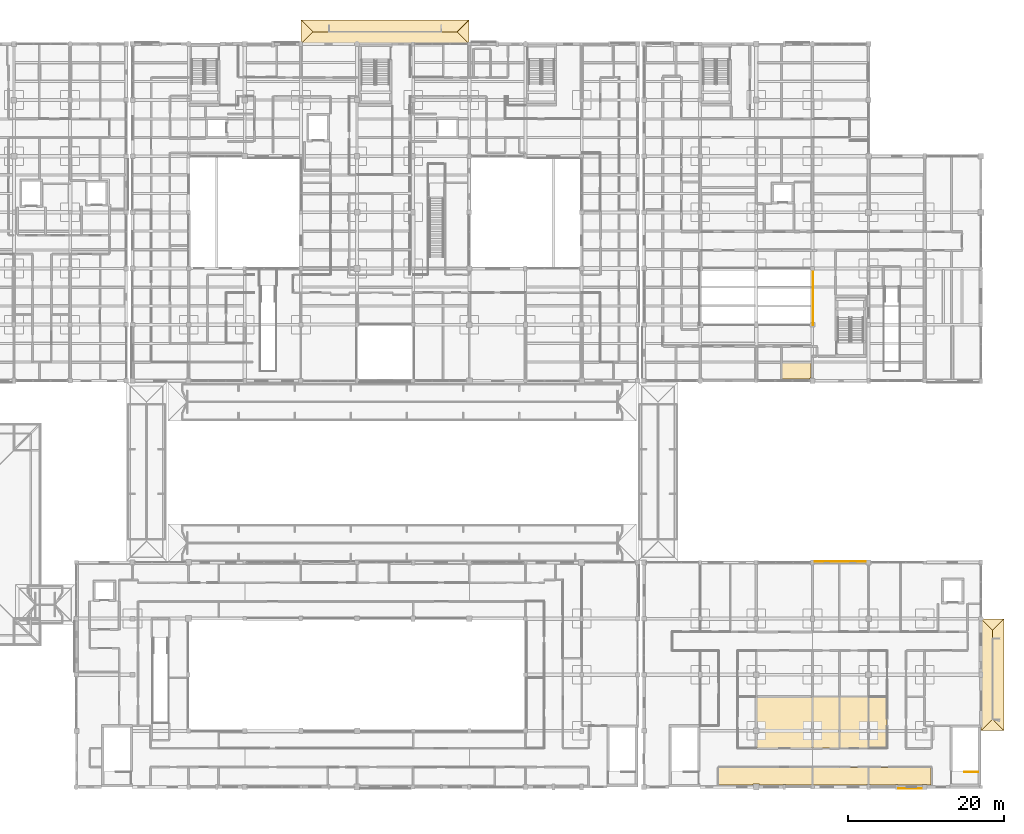
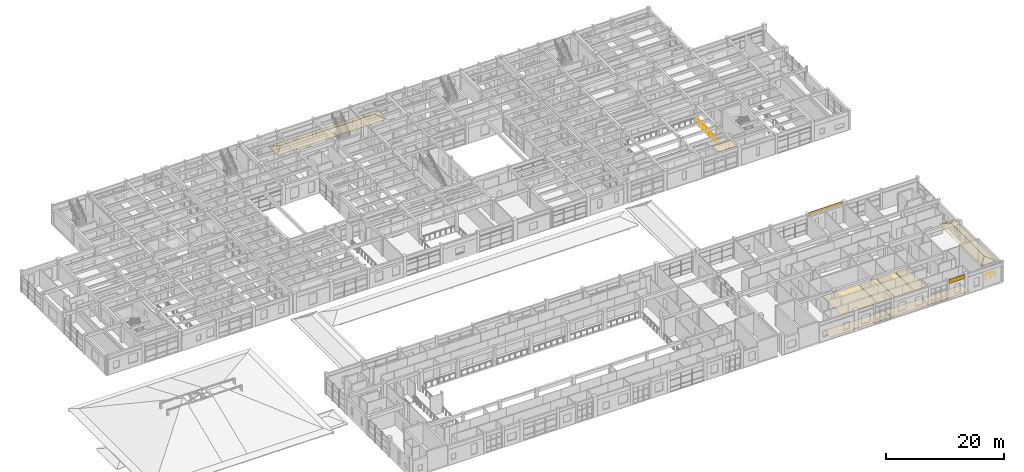
# One storey, part 108 of 110: 18 coverings, 2 railings.
"""IFC4 building model written with IfcOpenShell, lengths in metres."""

from ifc_helpers import new_model, si_unit, direction, frame, origin, origin_2d, place, context, subcontext, project, spatial, polyline, rectangle, circle, outline, extrude, material, layer, layer_set, type_object, element, save


model = new_model("IFC4")

# Units and contexts
model_context = context("Model", 3, precision=1e-05, world=origin(), true_north=direction((0.0, 1.0)))
body_context = subcontext(model_context, "Body", "Model", "MODEL_VIEW")
ifc_project = project(units=[si_unit("LENGTHUNIT", "METRE"), si_unit("AREAUNIT", "SQUARE_METRE"), si_unit("VOLUMEUNIT", "CUBIC_METRE"), si_unit("PLANEANGLEUNIT", "RADIAN"), si_unit("MASSUNIT", "GRAM", prefix="KILO")], contexts=[model_context])

# Site, building, storey
site_placement = place(None, origin())
site = spatial("IfcSite", under=ifc_project, at=site_placement, CompositionType="ELEMENT")
building_placement = place(site_placement, origin())
building = spatial("IfcBuilding", under=site, at=building_placement, Name="Steenspoor Specialist Clinic", CompositionType="ELEMENT")
storey_placement = place(building_placement, frame((0.0, 0.0, 4.800048828125)))
storey = spatial("IfcBuildingStorey", under=building, at=storey_placement, Name="L01", CompositionType="ELEMENT", Elevation=4.800048828125)

# Coverings
ifc_material_1 = material(Name="Washable acoustic mineral ceiling board", Category="gypsum")
ifc_layer_1 = layer(ifc_material_1, 0.02490234375)
ifc_layer_set_1 = layer_set([ifc_layer_1], Name="Washable acoustic mineral ceiling board")
covering_type_1 = type_object("IfcCoveringType", Name="COV-CEIL-ACOUSTIC", PredefinedType="CEILING", material=ifc_layer_set_1)
covering_1_placement = place(storey_placement, frame((0.0, 0.0, 3.925048828125)))
element("IfcCovering", 1, at=covering_1_placement, inside=storey, type_object=covering_type_1, Name="Acoustic Clinical Ceiling 124", PredefinedType="CEILING", context=body_context, shape_type="SweptSolid", body=[
    extrude(outline(polyline([(135.715087890625, 65.409912109375), (135.715087890625, 67.409912109375), (139.429931640625, 67.409912109375), (139.429931640625, 65.489990234375), (139.260009765625, 65.489990234375), (139.260009765625, 65.409912109375), (135.715087890625, 65.409912109375)])), origin(), (0.0, 0.0, 1.0), 0.02490234375),
])
ifc_material_2 = material(Name="Glazed ceramic relief spandrel cladding", Category="masonry")
ifc_layer_2 = layer(ifc_material_2, 0.034912109375)
ifc_layer_set_2 = layer_set([ifc_layer_2], Name="Glazed ceramic relief spandrel cladding")
covering_type_2 = type_object("IfcCoveringType", Name="COV-CLAD-CERAMIC", PredefinedType="CLADDING", material=ifc_layer_set_2)
covering_2_placement = place(storey_placement, frame((152.125, 12.85009765625, 3.36474609375), z_axis=(0.0, 0.0, 1.0), x_axis=(-1.0, 0.0, 0.0)))
element("IfcCovering", 2, at=covering_2_placement, inside=storey, type_object=covering_type_2, Name="Spandrel Cladding 16", PredefinedType="CLADDING", context=body_context, shape_type="SweptSolid", body=[
    extrude(rectangle(XDim=3.030029296875, YDim=0.0400390625, at=origin_2d()), origin(), (0.0, 0.0, 1.0), 0.840087890625),
])
covering_3_placement = place(storey_placement, frame((143.14990234375, 41.989990234375, 3.36474609375), z_axis=(0.0, 0.0, 1.0), x_axis=(1.0, 0.0, 0.0)))
element("IfcCovering", 3, at=covering_3_placement, inside=storey, type_object=covering_type_2, Name="Spandrel Cladding 17", PredefinedType="CLADDING", context=body_context, shape_type="SweptSolid", body=[
    extrude(rectangle(XDim=6.530029296875, YDim=0.0400390625, at=origin_2d()), origin(), (0.0, 0.0, 1.0), 0.840087890625),
])
ifc_material_3 = material(Name="Seamless clinical vinyl and terrazzo flooring", Category="plastic")
ifc_layer_3 = layer(ifc_material_3, 0.02001953125)
ifc_layer_set_3 = layer_set([ifc_layer_3], Name="Seamless clinical vinyl and terrazzo flooring")
covering_type_3 = type_object("IfcCoveringType", Name="COV-FLOOR-VINYL", PredefinedType="FLOORING", material=ifc_layer_set_3)
covering_4_placement = place(storey_placement, origin())
element("IfcCovering", 4, at=covering_4_placement, inside=storey, type_object=covering_type_3, Name="Clinical Vinyl Flooring 153", PredefinedType="FLOORING", context=body_context, shape_type="SweptSolid", body=[
    extrude(outline(polyline([(139.534912109375, 15.544921875), (139.534912109375, 13.31494140625), (139.3349609375, 13.31494140625), (139.3349609375, 13.31005859375), (136.18505859375, 13.31005859375), (136.18505859375, 13.405029296875), (135.81494140625, 13.405029296875), (135.81494140625, 13.31005859375), (132.7900390625, 13.31005859375), (132.7900390625, 13.43994140625), (132.010009765625, 13.43994140625), (132.010009765625, 13.31005859375), (127.56494140625, 13.31005859375), (127.56494140625, 15.544921875), (139.534912109375, 15.544921875)])), origin(), (0.0, 0.0, 1.0), 0.02001953125),
])
covering_5_placement = place(storey_placement, origin())
element("IfcCovering", 5, at=covering_5_placement, inside=storey, type_object=covering_type_3, Name="Clinical Vinyl Flooring 154", PredefinedType="FLOORING", context=body_context, shape_type="SweptSolid", body=[
    extrude(outline(polyline([(146.735107421875, 15.544921875), (146.735107421875, 13.364990234375), (146.56005859375, 13.364990234375), (146.56005859375, 13.31005859375), (139.864990234375, 13.31005859375), (139.864990234375, 13.31494140625), (139.6650390625, 13.31494140625), (139.6650390625, 15.544921875), (146.735107421875, 15.544921875)])), origin(), (0.0, 0.0, 1.0), 0.02001953125),
])
covering_6_placement = place(storey_placement, origin())
element("IfcCovering", 6, at=covering_6_placement, inside=storey, type_object=covering_type_3, Name="Clinical Vinyl Flooring 155", PredefinedType="FLOORING", context=body_context, shape_type="SweptSolid", body=[
    extrude(outline(polyline([(154.8349609375, 13.31005859375), (154.31494140625, 13.31005859375), (154.31494140625, 13.364990234375), (153.68505859375, 13.364990234375), (153.68505859375, 13.31005859375), (150.56494140625, 13.31005859375), (150.56494140625, 13.375), (150.235107421875, 13.375), (150.235107421875, 13.31005859375), (147.0400390625, 13.31005859375), (147.0400390625, 13.364990234375), (146.864990234375, 13.364990234375), (146.864990234375, 15.544921875), (154.8349609375, 15.544921875), (154.8349609375, 13.31005859375)])), origin(), (0.0, 0.0, 1.0), 0.02001953125),
])
covering_7_placement = place(storey_placement, origin())
element("IfcCovering", 7, at=covering_7_placement, inside=storey, type_object=covering_type_3, Name="Clinical Vinyl Flooring 157", PredefinedType="FLOORING", context=body_context, shape_type="SweptSolid", body=[
    extrude(outline(polyline([(132.465087890625, 18.074951171875), (132.465087890625, 19.885009765625), (132.764892578125, 19.885009765625), (132.764892578125, 20.614990234375), (132.465087890625, 20.614990234375), (132.465087890625, 24.56494140625), (139.534912109375, 24.56494140625), (139.534912109375, 20.489990234375), (139.360107421875, 20.489990234375), (139.360107421875, 20.010009765625), (139.534912109375, 20.010009765625), (139.534912109375, 18.074951171875), (132.465087890625, 18.074951171875)])), origin(), (0.0, 0.0, 1.0), 0.02001953125),
])
covering_8_placement = place(storey_placement, origin())
element("IfcCovering", 8, at=covering_8_placement, inside=storey, type_object=covering_type_3, Name="Clinical Vinyl Flooring 158", PredefinedType="FLOORING", context=body_context, shape_type="SweptSolid", body=[
    extrude(outline(polyline([(139.6650390625, 18.074951171875), (139.6650390625, 20.010009765625), (139.840087890625, 20.010009765625), (139.840087890625, 20.489990234375), (139.6650390625, 20.489990234375), (139.6650390625, 24.56494140625), (142.985107421875, 24.56494140625), (142.985107421875, 18.074951171875), (139.6650390625, 18.074951171875)])), origin(), (0.0, 0.0, 1.0), 0.02001953125),
])
covering_9_placement = place(storey_placement, origin())
element("IfcCovering", 9, at=covering_9_placement, inside=storey, type_object=covering_type_3, Name="Clinical Vinyl Flooring 159", PredefinedType="FLOORING", context=body_context, shape_type="SweptSolid", body=[
    extrude(outline(polyline([(143.114990234375, 18.074951171875), (143.114990234375, 24.56494140625), (146.735107421875, 24.56494140625), (146.735107421875, 20.5400390625), (146.5849609375, 20.5400390625), (146.5849609375, 19.9599609375), (146.735107421875, 19.9599609375), (146.735107421875, 18.074951171875), (143.114990234375, 18.074951171875)])), origin(), (0.0, 0.0, 1.0), 0.02001953125),
])
covering_10_placement = place(storey_placement, origin())
element("IfcCovering", 10, at=covering_10_placement, inside=storey, type_object=covering_type_3, Name="Clinical Vinyl Flooring 160", PredefinedType="FLOORING", context=body_context, shape_type="SweptSolid", body=[
    extrude(outline(polyline([(149.135009765625, 18.074951171875), (146.864990234375, 18.074951171875), (146.864990234375, 19.9599609375), (147.014892578125, 19.9599609375), (147.014892578125, 20.5400390625), (146.864990234375, 20.5400390625), (146.864990234375, 24.56494140625), (149.135009765625, 24.56494140625), (149.135009765625, 18.074951171875)])), origin(), (0.0, 0.0, 1.0), 0.02001953125),
])
ifc_material_4 = material(Name="Extruded terracotta clay roof tile", Category="masonry")
ifc_layer_4 = layer(ifc_material_4, 0.044921875)
ifc_layer_set_4 = layer_set([ifc_layer_4], Name="Extruded terracotta clay roof tile")
covering_type_4 = type_object("IfcCoveringType", Name="COV-ROOF-TILE", PredefinedType="ROOFING", material=ifc_layer_set_4)
covering_11_placement = place(storey_placement, frame((161.22998046875, 34.6201171875, -1.2021484375), z_axis=(-0.404488913328, 0.0, 0.91454290167), x_axis=(0.0, -1.0, 0.0)))
element("IfcCovering", 11, at=covering_11_placement, inside=storey, type_object=covering_type_4, Name="Clay Tile Roofing PORCH-EAST W", PredefinedType="ROOFING", context=body_context, shape_type="SweptSolid", body=[
    extrude(outline(polyline([(0.0, 0.0), (14.340087890625, 0.0), (12.8701171875, 1.60732831717449), (1.47021484375, 1.60732831717449), (0.0, 0.0)])), origin(), (0.0, 0.0, -1.0), 0.044921875),
])
covering_12_placement = place(storey_placement, frame((164.169921875, 20.280029296875, -1.2021484375), z_axis=(0.404488913328, 0.0, 0.91454290167), x_axis=(0.0, 1.0, 0.0)))
element("IfcCovering", 12, at=covering_12_placement, inside=storey, type_object=covering_type_4, Name="Clay Tile Roofing PORCH-EAST E", PredefinedType="ROOFING", context=body_context, shape_type="SweptSolid", body=[
    extrude(outline(polyline([(0.0, 0.0), (14.340087890625, 0.0), (12.869873046875, 1.60732831717449), (1.469970703125, 1.60732831717449), (0.0, 0.0)])), origin(), (0.0, 0.0, -1.0), 0.044921875),
])
covering_13_placement = place(storey_placement, frame((161.22998046875, 20.280029296875, -1.2021484375), z_axis=(0.0, -0.404488913328, 0.91454290167), x_axis=(1.0, 0.0, 0.0)))
element("IfcCovering", 13, at=covering_13_placement, inside=storey, type_object=covering_type_4, Name="Clay Tile Roofing PORCH-EAST S", PredefinedType="ROOFING", context=body_context, shape_type="SweptSolid", body=[
    extrude(outline(polyline([(0.0, 0.0), (2.93994140625, 0.0), (1.469970703125, 1.6073283171744903), (0.0, 0.0)])), origin(), (0.0, 0.0, -1.0), 0.044921875),
])
covering_14_placement = place(storey_placement, frame((164.169921875, 34.6201171875, -1.2021484375), z_axis=(0.0, 0.404432732034, 0.914567747769), x_axis=(-1.0, 0.0, 0.0)))
element("IfcCovering", 14, at=covering_14_placement, inside=storey, type_object=covering_type_4, Name="Clay Tile Roofing PORCH-EAST N", PredefinedType="ROOFING", context=body_context, shape_type="SweptSolid", body=[
    extrude(outline(polyline([(0.0, 0.0), (2.93994140625, 0.0), (1.469970703125, 1.6075515972832748), (0.0, 0.0)])), origin(), (0.0, 0.0, -1.0), 0.044921875),
])
for number, where, z_axis, x_axis, name in (
    (15, (74.030029296875, 108.3798828125, -1.2021484375), (0.0, -0.393259749883, 0.919427413732), (1.0, 0.0, 0.0), "Clay Tile Roofing PORCH-NORTH S"),
    (16, (95.570068359375, 111.419921875, -1.2021484375), (0.0, 0.393259749883, 0.919427413732), (-1.0, 0.0, 0.0), "Clay Tile Roofing PORCH-NORTH N"),
):
    element("IfcCovering", number, at=place(storey_placement, frame(where, z_axis=z_axis, x_axis=x_axis)), inside=storey, type_object=covering_type_4, Name=name, PredefinedType="ROOFING", context=body_context, shape_type="SweptSolid", body=[
        extrude(outline(polyline([(0.0, 0.0), (21.5400390625, 0.0), (20.02001953125, 1.653224070271977), (1.52001953125, 1.653224070271977), (0.0, 0.0)])), origin(), (0.0, 0.0, -1.0), 0.044921875),
    ])
for number, where, z_axis, x_axis, name in (
    (17, (74.030029296875, 111.419921875, -1.2021484375), (-0.393259749883, 0.0, 0.919427413732), (0.0, -1.0, 0.0), "Clay Tile Roofing PORCH-NORTH W"),
    (18, (95.570068359375, 108.3798828125, -1.2021484375), (0.393259749883, 0.0, 0.919427413732), (0.0, 1.0, 0.0), "Clay Tile Roofing PORCH-NORTH E"),
):
    element("IfcCovering", number, at=place(storey_placement, frame(where, z_axis=z_axis, x_axis=x_axis)), inside=storey, type_object=covering_type_4, Name=name, PredefinedType="ROOFING", context=body_context, shape_type="SweptSolid", body=[
        extrude(outline(polyline([(0.0, 0.0), (3.0400390625, 0.0), (1.52001953125, 1.653224070271977), (0.0, 0.0)])), origin(), (0.0, 0.0, -1.0), 0.044921875),
    ])

# Railings
ifc_material_5 = material(Name="Painted architectural steel balustrade", Category="steel")
railing_type = type_object("IfcRailingType", Name="RAIL-GUARD-1100", PredefinedType="GUARDRAIL", material=ifc_material_5)
railing_1_placement = place(storey_placement, frame((160.85009765625, 15.0, 0.0)))
element("IfcRailing", 19, at=railing_1_placement, inside=storey, type_object=railing_type, Name="L01 ST-V2B top well guard 1", PredefinedType="GUARDRAIL", context=body_context, shape_type="SweptSolid", body=[
    extrude(circle(Radius=0.02392578125, at=origin_2d()), frame((0.0, 0.0, 1.076171875), z_axis=(-1.0, 0.0, 0.0), x_axis=(0.0, -1.0, 0.0)), (0.0, 0.0, 1.0), 1.75),
    extrude(circle(Radius=0.02099609375, at=origin_2d()), origin(), (0.0, 0.0, 1.0), 1.052001953125),
    extrude(circle(Radius=0.02099609375, at=origin_2d()), frame((-0.875, 0.0, 0.0)), (0.0, 0.0, 1.0), 1.052001953125),
    extrude(circle(Radius=0.02099609375, at=origin_2d()), frame((-1.75, 0.0, 0.0)), (0.0, 0.0, 1.0), 1.052001953125),
])
railing_2_placement = place(storey_placement, frame((139.679931640625, 72.27001953125, 0.0)))
element("IfcRailing", 20, at=railing_2_placement, inside=storey, type_object=railing_type, Name="Atrium Gallery Guard V6 L01 2", PredefinedType="GUARDRAIL", context=body_context, shape_type="SweptSolid", body=[
    extrude(circle(Radius=0.02392578125, at=origin_2d()), frame((0.0, 0.0, 1.09619140625), z_axis=(0.0, 1.0, 0.0), x_axis=(-1.0, 0.0, 0.0)), (0.0, 0.0, 1.0), 7.35986328125),
    extrude(circle(Radius=0.02099609375, at=origin_2d()), origin(), (0.0, 0.0, 1.0), 1.072021484375),
    extrude(circle(Radius=0.02099609375, at=origin_2d()), frame((0.0, 1.051513671875, 0.0)), (0.0, 0.0, 1.0), 1.072021484375),
    extrude(circle(Radius=0.02099609375, at=origin_2d()), frame((0.0, 2.102783203125, 0.0)), (0.0, 0.0, 1.0), 1.072021484375),
    extrude(circle(Radius=0.02099609375, at=origin_2d()), frame((0.0, 3.154296875, 0.0)), (0.0, 0.0, 1.0), 1.072021484375),
    extrude(circle(Radius=0.02099609375, at=origin_2d()), frame((0.0, 4.20556640625, 0.0)), (0.0, 0.0, 1.0), 1.072021484375),
    extrude(circle(Radius=0.02099609375, at=origin_2d()), frame((0.0, 5.257080078125, 0.0)), (0.0, 0.0, 1.0), 1.072021484375),
    extrude(circle(Radius=0.02099609375, at=origin_2d()), frame((0.0, 6.308349609375, 0.0)), (0.0, 0.0, 1.0), 1.072021484375),
    extrude(circle(Radius=0.02099609375, at=origin_2d()), frame((0.0, 7.35986328125, 0.0)), (0.0, 0.0, 1.0), 1.072021484375),
])

save(model, "model.ifc")
